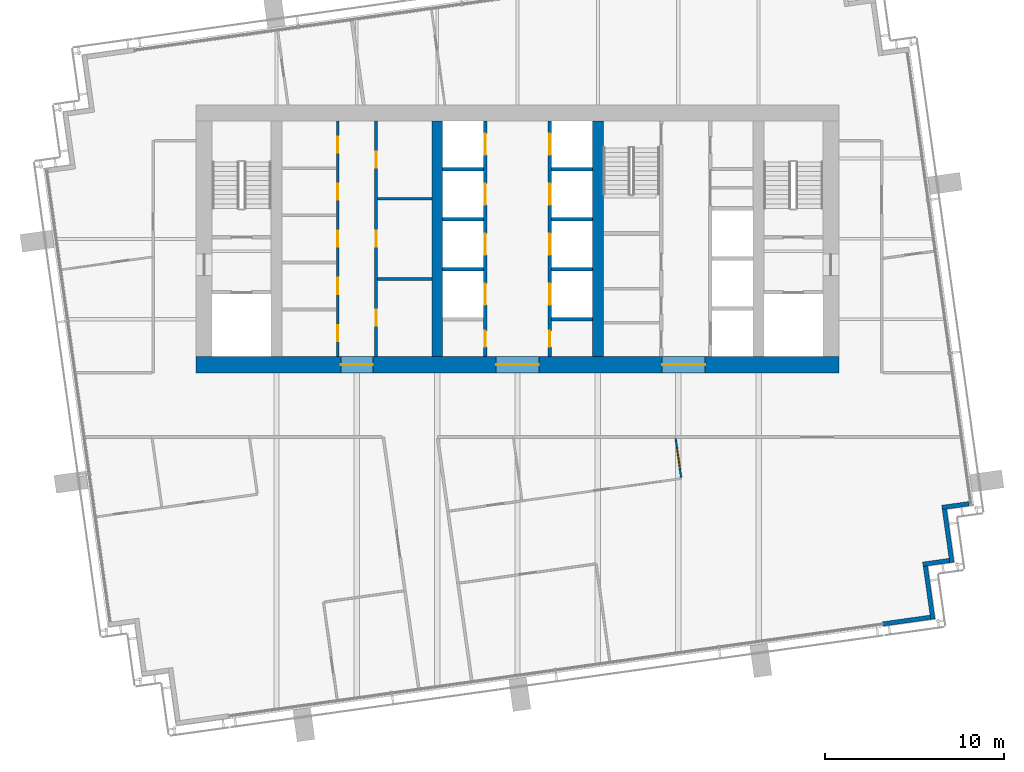
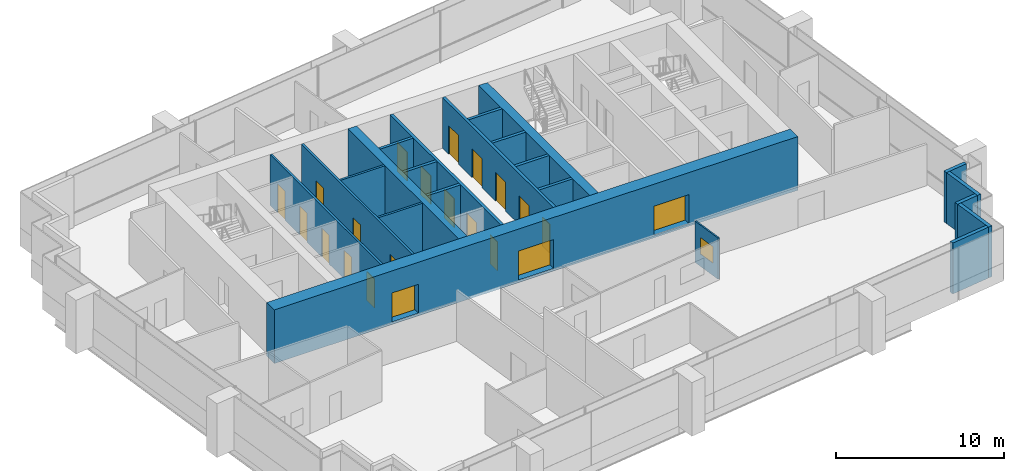
# One storey, part 9 of 15: 22 walls, 21 doors, 1 window, 22 openings.
"""IFC4 building model written with IfcOpenShell, lengths in metres."""

from ifc_helpers import new_model, si_unit, direction, frame, frame_2d, origin, place, context, subcontext, project, spatial, rectangle, extrude, material, layer, layer_set, type_object, element, fill, save


model = new_model("IFC4")

# Units and contexts
model_context = context("Model", 3, precision=1e-05, world=origin(), true_north=direction((0.0, 1.0)))
body_context = subcontext(model_context, "Body", "Model", "MODEL_VIEW")
ifc_project = project(units=[si_unit("LENGTHUNIT", "METRE"), si_unit("AREAUNIT", "SQUARE_METRE"), si_unit("VOLUMEUNIT", "CUBIC_METRE"), si_unit("PLANEANGLEUNIT", "RADIAN"), si_unit("MASSUNIT", "GRAM", prefix="KILO")], contexts=[model_context])

# Site, building, storey
site_placement = place(None, origin())
site = spatial("IfcSite", under=ifc_project, at=site_placement, CompositionType="ELEMENT")
building_placement = place(site_placement, origin())
building = spatial("IfcBuilding", under=site, at=building_placement, Name="Rattan Terrace Tower", CompositionType="ELEMENT")
storey_placement = place(building_placement, frame((0.0, 0.0, 262.89990234375)))
storey = spatial("IfcBuildingStorey", under=building, at=storey_placement, Name="L60", CompositionType="ELEMENT", Elevation=262.89990234375)

# Wall, openings, doors
ifc_material_1 = material(Name="Gypsum board partition")
ifc_layer_1 = layer(ifc_material_1, 0.14990234375)
ifc_layer_set_1 = layer_set([ifc_layer_1], Name="Core partition 150")
wall_type_1 = type_object("IfcWallType", Name="Core partition 150", PredefinedType="PARTITIONING", material=ifc_layer_set_1)
wall_1_placement = place(storey_placement, frame((-10.074951171875, -6.60009765625, 0.0), z_axis=(0.0, 0.0, 1.0), x_axis=(0.0, 1.0, 0.0)))
wall_1 = element("IfcWall", 1, at=wall_1_placement, inside=storey, type_object=wall_type_1, Name="Core room wall", PredefinedType="PARTITIONING", context=body_context, shape_type="SweptSolid", body=[
    extrude(rectangle(XDim=13.2001953125, YDim=0.14990234375, at=frame_2d((6.60009765625, 0.0))), origin(), (0.0, 0.0, 1.0), 3.7001953125),
])
opening_1_placement = place(wall_1_placement, frame((0.8701171875, 0.0, 0.0)))
opening_1 = element("IfcOpeningElement", 2, at=opening_1_placement, cuts=wall_1, Name="Opening L60-D005", PredefinedType="OPENING", context=body_context, shape_type="SweptSolid", body=[
    extrude(rectangle(XDim=0.89990234375, YDim=2.10009765625, at=frame_2d((0.449951171875, 1.050048828125))), frame((0.0, 0.08544921875, 0.0), z_axis=(0.0, -1.0, 0.0), x_axis=(1.0, 0.0, 0.0)), (0.0, 0.0, 1.0), 0.1708984375),
])
opening_2_placement = place(wall_1_placement, frame((3.510009765625, 0.0, 0.0)))
opening_2 = element("IfcOpeningElement", 3, at=opening_2_placement, cuts=wall_1, Name="Opening L60-D006", PredefinedType="OPENING", context=body_context, shape_type="SweptSolid", body=[
    extrude(rectangle(XDim=0.89990234375, YDim=2.10009765625, at=frame_2d((0.449951171875, 1.050048828125))), frame((0.0, 0.08544921875, 0.0), z_axis=(0.0, -1.0, 0.0), x_axis=(1.0, 0.0, 0.0)), (0.0, 0.0, 1.0), 0.1708984375),
])
opening_3_placement = place(wall_1_placement, frame((6.14990234375, 0.0, 0.0)))
opening_3 = element("IfcOpeningElement", 4, at=opening_3_placement, cuts=wall_1, Name="Opening L60-D007", PredefinedType="OPENING", context=body_context, shape_type="SweptSolid", body=[
    extrude(rectangle(XDim=0.89990234375, YDim=2.10009765625, at=frame_2d((0.449951171875, 1.050048828125))), frame((0.0, 0.08544921875, 0.0), z_axis=(0.0, -1.0, 0.0), x_axis=(1.0, 0.0, 0.0)), (0.0, 0.0, 1.0), 0.1708984375),
])
opening_4_placement = place(wall_1_placement, frame((8.7900390625, 0.0, 0.0)))
opening_4 = element("IfcOpeningElement", 5, at=opening_4_placement, cuts=wall_1, Name="Opening L60-D008", PredefinedType="OPENING", context=body_context, shape_type="SweptSolid", body=[
    extrude(rectangle(XDim=0.89990234375, YDim=2.10009765625, at=frame_2d((0.449951171875, 1.050048828125))), frame((0.0, 0.08544921875, 0.0), z_axis=(0.0, -1.0, 0.0), x_axis=(1.0, 0.0, 0.0)), (0.0, 0.0, 1.0), 0.1708984375),
])
opening_5_placement = place(wall_1_placement, frame((11.429931640625, 0.0, 0.0)))
opening_5 = element("IfcOpeningElement", 6, at=opening_5_placement, cuts=wall_1, Name="Opening L60-D009", PredefinedType="OPENING", context=body_context, shape_type="SweptSolid", body=[
    extrude(rectangle(XDim=0.89990234375, YDim=2.10009765625, at=frame_2d((0.449951171875, 1.050048828125))), frame((0.0, 0.08544921875, 0.0), z_axis=(0.0, -1.0, 0.0), x_axis=(1.0, 0.0, 0.0)), (0.0, 0.0, 1.0), 0.1708984375),
])
ifc_material_2 = material(Name="Hollow-metal fire door leaf")
door_type_1 = type_object("IfcDoorType", Name="Core service room door 900", OperationType="NOTDEFINED", PredefinedType="DOOR", material=ifc_material_2)
door_1_placement = place(opening_1_placement, origin())
door_1 = element("IfcDoor", 7, at=door_1_placement, inside=storey, type_object=door_type_1, Name="Door L60-D005", OperationType="SINGLE_SWING_LEFT", OverallHeight=2.10009765625, OverallWidth=0.89990234375, PredefinedType="DOOR", context=body_context, shape_type="SweptSolid", body=[
    extrude(rectangle(XDim=0.89990234375, YDim=2.10009765625, at=frame_2d((0.449951171875, 1.050048828125))), frame((0.0, 0.02490234375, 0.0), z_axis=(0.0, -1.0, 0.0), x_axis=(1.0, 0.0, 0.0)), (0.0, 0.0, 1.0), 0.050048828125),
])
fill(opening_1, door_1)
door_2_placement = place(opening_2_placement, origin())
door_2 = element("IfcDoor", 8, at=door_2_placement, inside=storey, type_object=door_type_1, Name="Door L60-D006", OperationType="SINGLE_SWING_RIGHT", OverallHeight=2.10009765625, OverallWidth=0.89990234375, PredefinedType="DOOR", context=body_context, shape_type="SweptSolid", body=[
    extrude(rectangle(XDim=0.89990234375, YDim=2.10009765625, at=frame_2d((0.449951171875, 1.050048828125))), frame((0.0, 0.02490234375, 0.0), z_axis=(0.0, -1.0, 0.0), x_axis=(1.0, 0.0, 0.0)), (0.0, 0.0, 1.0), 0.050048828125),
])
fill(opening_2, door_2)
door_3_placement = place(opening_3_placement, origin())
door_3 = element("IfcDoor", 9, at=door_3_placement, inside=storey, type_object=door_type_1, Name="Door L60-D007", OperationType="SINGLE_SWING_LEFT", OverallHeight=2.10009765625, OverallWidth=0.89990234375, PredefinedType="DOOR", context=body_context, shape_type="SweptSolid", body=[
    extrude(rectangle(XDim=0.89990234375, YDim=2.10009765625, at=frame_2d((0.449951171875, 1.050048828125))), frame((0.0, 0.02490234375, 0.0), z_axis=(0.0, -1.0, 0.0), x_axis=(1.0, 0.0, 0.0)), (0.0, 0.0, 1.0), 0.050048828125),
])
fill(opening_3, door_3)
door_4_placement = place(opening_4_placement, origin())
door_4 = element("IfcDoor", 10, at=door_4_placement, inside=storey, type_object=door_type_1, Name="Door L60-D008", OperationType="SINGLE_SWING_RIGHT", OverallHeight=2.10009765625, OverallWidth=0.89990234375, PredefinedType="DOOR", context=body_context, shape_type="SweptSolid", body=[
    extrude(rectangle(XDim=0.89990234375, YDim=2.10009765625, at=frame_2d((0.449951171875, 1.050048828125))), frame((0.0, 0.02490234375, 0.0), z_axis=(0.0, -1.0, 0.0), x_axis=(1.0, 0.0, 0.0)), (0.0, 0.0, 1.0), 0.050048828125),
])
fill(opening_4, door_4)
door_5_placement = place(opening_5_placement, origin())
door_5 = element("IfcDoor", 11, at=door_5_placement, inside=storey, type_object=door_type_1, Name="Door L60-D009", OperationType="SINGLE_SWING_LEFT", OverallHeight=2.10009765625, OverallWidth=0.89990234375, PredefinedType="DOOR", context=body_context, shape_type="SweptSolid", body=[
    extrude(rectangle(XDim=0.89990234375, YDim=2.10009765625, at=frame_2d((0.449951171875, 1.050048828125))), frame((0.0, 0.02490234375, 0.0), z_axis=(0.0, -1.0, 0.0), x_axis=(1.0, 0.0, 0.0)), (0.0, 0.0, 1.0), 0.050048828125),
])
fill(opening_5, door_5)

wall_2_placement = place(storey_placement, frame((-7.925048828125, -6.60009765625, 0.0), z_axis=(0.0, 0.0, 1.0), x_axis=(0.0, 1.0, 0.0)))
wall_2 = element("IfcWall", 12, at=wall_2_placement, inside=storey, type_object=wall_type_1, Name="Core room wall", PredefinedType="PARTITIONING", context=body_context, shape_type="SweptSolid", body=[
    extrude(rectangle(XDim=13.2001953125, YDim=0.14990234375, at=frame_2d((6.60009765625, 0.0))), origin(), (0.0, 0.0, 1.0), 3.7001953125),
])
opening_6_placement = place(wall_2_placement, frame((1.72802734375, 0.0, 0.0)))
opening_6 = element("IfcOpeningElement", 13, at=opening_6_placement, cuts=wall_2, Name="Opening L60-D010", PredefinedType="OPENING", context=body_context, shape_type="SweptSolid", body=[
    extrude(rectangle(XDim=0.89990234375, YDim=2.10009765625, at=frame_2d((0.449951171875, 1.050048828125))), frame((0.0, 0.08544921875, 0.0), z_axis=(0.0, -1.0, 0.0), x_axis=(1.0, 0.0, 0.0)), (0.0, 0.0, 1.0), 0.1708984375),
])
opening_7_placement = place(wall_2_placement, frame((6.14990234375, 0.0, 0.0)))
opening_7 = element("IfcOpeningElement", 14, at=opening_7_placement, cuts=wall_2, Name="Opening L60-D011", PredefinedType="OPENING", context=body_context, shape_type="SweptSolid", body=[
    extrude(rectangle(XDim=0.89990234375, YDim=2.10009765625, at=frame_2d((0.449951171875, 1.050048828125))), frame((0.0, 0.08544921875, 0.0), z_axis=(0.0, -1.0, 0.0), x_axis=(1.0, 0.0, 0.0)), (0.0, 0.0, 1.0), 0.1708984375),
])
opening_8_placement = place(wall_2_placement, frame((10.572021484375, 0.0, 0.0)))
opening_8 = element("IfcOpeningElement", 15, at=opening_8_placement, cuts=wall_2, Name="Opening L60-D012", PredefinedType="OPENING", context=body_context, shape_type="SweptSolid", body=[
    extrude(rectangle(XDim=0.89990234375, YDim=2.10009765625, at=frame_2d((0.449951171875, 1.050048828125))), frame((0.0, 0.08544921875, 0.0), z_axis=(0.0, -1.0, 0.0), x_axis=(1.0, 0.0, 0.0)), (0.0, 0.0, 1.0), 0.1708984375),
])
door_6_placement = place(opening_6_placement, origin())
door_6 = element("IfcDoor", 16, at=door_6_placement, inside=storey, type_object=door_type_1, Name="Door L60-D010", OperationType="SINGLE_SWING_RIGHT", OverallHeight=2.10009765625, OverallWidth=0.89990234375, PredefinedType="DOOR", context=body_context, shape_type="SweptSolid", body=[
    extrude(rectangle(XDim=0.89990234375, YDim=2.10009765625, at=frame_2d((0.449951171875, 1.050048828125))), frame((0.0, 0.02490234375, 0.0), z_axis=(0.0, -1.0, 0.0), x_axis=(1.0, 0.0, 0.0)), (0.0, 0.0, 1.0), 0.050048828125),
])
fill(opening_6, door_6)
door_7_placement = place(opening_7_placement, origin())
door_7 = element("IfcDoor", 17, at=door_7_placement, inside=storey, type_object=door_type_1, Name="Door L60-D011", OperationType="SINGLE_SWING_LEFT", OverallHeight=2.10009765625, OverallWidth=0.89990234375, PredefinedType="DOOR", context=body_context, shape_type="SweptSolid", body=[
    extrude(rectangle(XDim=0.89990234375, YDim=2.10009765625, at=frame_2d((0.449951171875, 1.050048828125))), frame((0.0, 0.02490234375, 0.0), z_axis=(0.0, -1.0, 0.0), x_axis=(1.0, 0.0, 0.0)), (0.0, 0.0, 1.0), 0.050048828125),
])
fill(opening_7, door_7)
door_8_placement = place(opening_8_placement, origin())
door_8 = element("IfcDoor", 18, at=door_8_placement, inside=storey, type_object=door_type_1, Name="Door L60-D012", OperationType="SINGLE_SWING_RIGHT", OverallHeight=2.10009765625, OverallWidth=0.89990234375, PredefinedType="DOOR", context=body_context, shape_type="SweptSolid", body=[
    extrude(rectangle(XDim=0.89990234375, YDim=2.10009765625, at=frame_2d((0.449951171875, 1.050048828125))), frame((0.0, 0.02490234375, 0.0), z_axis=(0.0, -1.0, 0.0), x_axis=(1.0, 0.0, 0.0)), (0.0, 0.0, 1.0), 0.050048828125),
])
fill(opening_8, door_8)

# Walls
for number, where, z_axis, x_axis, name in (
    (19, (-7.85009765625, -2.243896484375, 0.0), (0.0, 0.0, 1.0), (1.0, 0.0, 0.0), "Core room wall"),
    (20, (-7.85009765625, 2.243896484375, 0.0), (0.0, 0.0, 1.0), (1.0, 0.0, 0.0), "Core room wall"),
):
    element("IfcWall", number, at=place(storey_placement, frame(where, z_axis=z_axis, x_axis=x_axis)), inside=storey, type_object=wall_type_1, Name=name, PredefinedType="PARTITIONING", context=body_context, shape_type="SweptSolid", body=[
        extrude(rectangle(XDim=3.050048828125, YDim=0.14990234375, at=frame_2d((1.52490234375, 0.0))), origin(), (0.0, 0.0, 1.0), 3.7001953125),
    ])

# Wall, openings, doors
ifc_material_3 = material(Name="Concrete C50/60", Category="concrete")
ifc_layer_2 = layer(ifc_material_3, 0.89990234375)
ifc_layer_set_2 = layer_set([ifc_layer_2], Name="Core ring wall 900 C50/60")
wall_type_2 = type_object("IfcWallType", Name="Core ring wall 900 C50/60", PredefinedType="SHEAR", material=ifc_layer_set_2)
wall_3_placement = place(storey_placement, frame((-18.0, -7.050048828125, -0.199951171875), z_axis=(0.0, 0.0, 1.0), x_axis=(1.0, 0.0, 0.0)))
wall_3 = element("IfcWall", 21, at=wall_3_placement, inside=storey, type_object=wall_type_2, Name="Rear core wall south", PredefinedType="SHEAR", context=body_context, shape_type="SweptSolid", body=[
    extrude(rectangle(XDim=36.0, YDim=0.89990234375, at=frame_2d((18.0, 0.0))), origin(), (0.0, 0.0, 1.0), 3.900146484375),
])
opening_9_placement = place(wall_3_placement, frame((8.10009765625, 0.0, 0.199951171875)))
opening_9 = element("IfcOpeningElement", 22, at=opening_9_placement, cuts=wall_3, Name="Opening L60-D013", PredefinedType="OPENING", context=body_context, shape_type="SweptSolid", body=[
    extrude(rectangle(XDim=1.800048828125, YDim=2.10009765625, at=frame_2d((0.89990234375, 1.050048828125))), frame((0.0, 0.46044921875, 0.0), z_axis=(0.0, -1.0, 0.0), x_axis=(1.0, 0.0, 0.0)), (0.0, 0.0, 1.0), 0.9208984375),
])
opening_10_placement = place(wall_3_placement, frame((16.800048828125, 0.0, 0.199951171875)))
opening_10 = element("IfcOpeningElement", 23, at=opening_10_placement, cuts=wall_3, Name="Opening L60-D016", PredefinedType="OPENING", context=body_context, shape_type="SweptSolid", body=[
    extrude(rectangle(XDim=2.39990234375, YDim=2.10009765625, at=frame_2d((1.199951171875, 1.050048828125))), frame((0.0, 0.46044921875, 0.0), z_axis=(0.0, -1.0, 0.0), x_axis=(1.0, 0.0, 0.0)), (0.0, 0.0, 1.0), 0.9208984375),
])
opening_11_placement = place(wall_3_placement, frame((26.10009765625, 0.0, 0.199951171875)))
opening_11 = element("IfcOpeningElement", 24, at=opening_11_placement, cuts=wall_3, Name="Opening L60-D021", PredefinedType="OPENING", context=body_context, shape_type="SweptSolid", body=[
    extrude(rectangle(XDim=2.39990234375, YDim=2.10009765625, at=frame_2d((1.199951171875, 1.050048828125))), frame((0.0, 0.46044921875, 0.0), z_axis=(0.0, -1.0, 0.0), x_axis=(1.0, 0.0, 0.0)), (0.0, 0.0, 1.0), 0.9208984375),
])
ifc_material_4 = material(Name="Hollow-metal fire door leaf")
door_type_2 = type_object("IfcDoorType", Name="Core lift lobby door 2400", OperationType="NOTDEFINED", PredefinedType="DOOR", material=ifc_material_4)
door_9_placement = place(opening_10_placement, origin())
door_9 = element("IfcDoor", 25, at=door_9_placement, inside=storey, type_object=door_type_2, Name="Door L60-D016", OperationType="DOUBLE_DOOR_DOUBLE_SWING", OverallHeight=2.10009765625, OverallWidth=2.39990234375, PredefinedType="DOOR", context=body_context, shape_type="SweptSolid", body=[
    extrude(rectangle(XDim=2.39990234375, YDim=2.10009765625, at=frame_2d((1.199951171875, 1.050048828125))), frame((0.0, 0.02490234375, 0.0), z_axis=(0.0, -1.0, 0.0), x_axis=(1.0, 0.0, 0.0)), (0.0, 0.0, 1.0), 0.050048828125),
])
fill(opening_10, door_9)
door_10_placement = place(opening_11_placement, origin())
door_10 = element("IfcDoor", 26, at=door_10_placement, inside=storey, type_object=door_type_2, Name="Door L60-D021", OperationType="DOUBLE_DOOR_DOUBLE_SWING", OverallHeight=2.10009765625, OverallWidth=2.39990234375, PredefinedType="DOOR", context=body_context, shape_type="SweptSolid", body=[
    extrude(rectangle(XDim=2.39990234375, YDim=2.10009765625, at=frame_2d((1.199951171875, 1.050048828125))), frame((0.0, 0.02490234375, 0.0), z_axis=(0.0, -1.0, 0.0), x_axis=(1.0, 0.0, 0.0)), (0.0, 0.0, 1.0), 0.050048828125),
])
fill(opening_11, door_10)
ifc_material_5 = material(Name="Hollow-metal fire door leaf")
door_type_3 = type_object("IfcDoorType", Name="Core service room door 1800", OperationType="NOTDEFINED", PredefinedType="DOOR", material=ifc_material_5)
door_11_placement = place(opening_9_placement, origin())
door_11 = element("IfcDoor", 27, at=door_11_placement, inside=storey, type_object=door_type_3, Name="Door L60-D013", OperationType="SINGLE_SWING_LEFT", OverallHeight=2.10009765625, OverallWidth=1.800048828125, PredefinedType="DOOR", context=body_context, shape_type="SweptSolid", body=[
    extrude(rectangle(XDim=1.800048828125, YDim=2.10009765625, at=frame_2d((0.89990234375, 1.050048828125))), frame((0.0, 0.02490234375, 0.0), z_axis=(0.0, -1.0, 0.0), x_axis=(1.0, 0.0, 0.0)), (0.0, 0.0, 1.0), 0.050048828125),
])
fill(opening_9, door_11)

# Walls
ifc_material_6 = material(Name="Concrete C50/60", Category="concrete")
ifc_layer_3 = layer(ifc_material_6, 0.60009765625)
ifc_layer_set_3 = layer_set([ifc_layer_3], Name="Core spine wall 600 C50/60")
wall_type_3 = type_object("IfcWallType", Name="Core spine wall 600 C50/60", PredefinedType="SHEAR", material=ifc_layer_set_3)
for number, where, z_axis, x_axis, name in (
    (28, (-4.5, -6.60009765625, -0.199951171875), (0.0, 0.0, 1.0), (0.0, 1.0, 0.0), "Core spine wall 2"),
    (29, (4.5, -6.60009765625, -0.199951171875), (0.0, 0.0, 1.0), (0.0, 1.0, 0.0), "Core spine wall 3"),
):
    element("IfcWall", number, at=place(storey_placement, frame(where, z_axis=z_axis, x_axis=x_axis)), inside=storey, type_object=wall_type_3, Name=name, PredefinedType="SHEAR", context=body_context, shape_type="SweptSolid", body=[
        extrude(rectangle(XDim=13.2001953125, YDim=0.60009765625, at=frame_2d((6.60009765625, 0.0))), origin(), (0.0, 0.0, 1.0), 3.900146484375),
    ])
ifc_material_7 = material(Name="Insulated aluminium-clad stud wall", Category="aluminium")
ifc_layer_4 = layer(ifc_material_7, 0.25)
ifc_layer_set_4 = layer_set([ifc_layer_4], Name="Facade Riser Wall 250")
wall_type_4 = type_object("IfcWallType", Name="Facade Riser Wall 250", PredefinedType="SOLIDWALL", material=ifc_layer_set_4)
wall_4_placement = place(storey_placement, frame((20.4404296875, -21.571533203125, 0.0), z_axis=(0.0, 0.0, 1.0), x_axis=(0.990293105353, 0.138994839796, 0.0)))
element("IfcWall", 30, at=wall_4_placement, inside=storey, type_object=wall_type_4, Name="Riser wall L60-1", PredefinedType="SOLIDWALL", context=body_context, shape_type="SweptSolid", body=[
    extrude(rectangle(XDim=2.705078125, YDim=0.25, at=frame_2d((1.3525390625, 0.0))), origin(), (0.0, 0.0, 1.0), 3.7001953125),
])
wall_5_placement = place(storey_placement, frame((23.260498046875, -21.302001953125, 0.0), z_axis=(0.0, 0.0, 1.0), x_axis=(-0.138994228812, 0.990293191109, 0.0)))
element("IfcWall", 31, at=wall_5_placement, inside=storey, type_object=wall_type_4, Name="Riser wall L60-2", PredefinedType="SOLIDWALL", context=body_context, shape_type="SweptSolid", body=[
    extrude(rectangle(XDim=3.0, YDim=0.25, at=frame_2d((1.5, 0.0))), origin(), (0.0, 0.0, 1.0), 3.7001953125),
])
wall_6_placement = place(storey_placement, frame((22.7021484375, -18.224853515625, 0.0), z_axis=(0.0, 0.0, 1.0), x_axis=(0.990243596651, 0.13934711799, 0.0)))
element("IfcWall", 32, at=wall_6_placement, inside=storey, type_object=wall_type_4, Name="Riser wall L60-3", PredefinedType="SOLIDWALL", context=body_context, shape_type="SweptSolid", body=[
    extrude(rectangle(XDim=1.499755859375, YDim=0.25, at=frame_2d((0.75, 0.0))), origin(), (0.0, 0.0, 1.0), 3.7001953125),
])
wall_7_placement = place(storey_placement, frame((24.328369140625, -18.1220703125, 0.0), z_axis=(0.0, 0.0, 1.0), x_axis=(-0.139358350296, 0.990242015975, 0.0)))
element("IfcWall", 33, at=wall_7_placement, inside=storey, type_object=wall_type_4, Name="Riser wall L60-4", PredefinedType="SOLIDWALL", context=body_context, shape_type="SweptSolid", body=[
    extrude(rectangle(XDim=2.999267578125, YDim=0.25, at=frame_2d((1.49951171875, 0.0))), origin(), (0.0, 0.0, 1.0), 3.7001953125),
])
wall_8_placement = place(storey_placement, frame((23.769287109375, -15.045654296875, 0.0), z_axis=(0.0, 0.0, 1.0), x_axis=(0.990260716096, 0.139225407725, 0.0)))
element("IfcWall", 34, at=wall_8_placement, inside=storey, type_object=wall_type_4, Name="Riser wall L60-5", PredefinedType="SOLIDWALL", context=body_context, shape_type="SweptSolid", body=[
    extrude(rectangle(XDim=1.525634765625, YDim=0.25, at=frame_2d((0.7626953125, 0.0))), origin(), (0.0, 0.0, 1.0), 3.7001953125),
])

# Wall, opening, window
ifc_material_8 = material(Name="Gypsum board partition on steel studs", Category="steel")
ifc_layer_5 = layer(ifc_material_8, 0.10009765625)
ifc_layer_set_5 = layer_set([ifc_layer_5], Name="Floors Partition 100")
wall_type_5 = type_object("IfcWallType", Name="Floors Partition 100", PredefinedType="PARTITIONING", material=ifc_layer_set_5)
wall_9_placement = place(storey_placement, frame((9.1640625, -13.3720703125, 0.0), z_axis=(0.0, 0.0, 1.0), x_axis=(-0.139301888521, 0.99024996029, 0.0)))
wall_9 = element("IfcWall", 35, at=wall_9_placement, inside=storey, type_object=wall_type_5, Name="pt-L60-030", PredefinedType="PARTITIONING", context=body_context, shape_type="SweptSolid", body=[
    extrude(rectangle(XDim=2.225830078125, YDim=0.10009765625, at=frame_2d((1.11279296875, 0.0))), origin(), (0.0, 0.0, 1.0), 3.0),
])
opening_12_placement = place(wall_9_placement, frame((0.5048828125, 0.0, 0.89990234375)))
opening_12 = element("IfcOpeningElement", 36, at=opening_12_placement, cuts=wall_9, Name="Opening L60-W102", PredefinedType="OPENING", context=body_context, shape_type="SweptSolid", body=[
    extrude(rectangle(XDim=1.199951171875, YDim=1.199951171875, at=frame_2d((0.60009765625, 0.60009765625))), frame((0.0, 0.060546875, 0.0), z_axis=(0.0, -1.0, 0.0), x_axis=(1.0, 0.0, 0.0)), (0.0, 0.0, 1.0), 0.12109375),
])
ifc_material_9 = material(Name="Glass, clear, fixed in aluminium frame", Category="aluminium")
window_type = type_object("IfcWindowType", Name="Interior Vision Window 1200x1200", PartitioningType="SINGLE_PANEL", PredefinedType="WINDOW", material=ifc_material_9)
window_placement = place(opening_12_placement, origin())
window = element("IfcWindow", 37, at=window_placement, inside=storey, type_object=window_type, Name="w-L60-102", OverallHeight=1.199951171875, OverallWidth=1.199951171875, PartitioningType="SINGLE_PANEL", PredefinedType="WINDOW", context=body_context, shape_type="SweptSolid", body=[
    extrude(rectangle(XDim=1.199951171875, YDim=1.199951171875, at=frame_2d((0.60009765625, 0.60009765625))), frame((0.0, 0.030029296875, 0.0), z_axis=(0.0, -1.0, 0.0), x_axis=(1.0, 0.0, 0.0)), (0.0, 0.0, 1.0), 0.06005859375),
])
fill(opening_12, window)

# Wall, openings, doors
ifc_material_10 = material(Name="Gypsum shaft wall system")
ifc_layer_6 = layer(ifc_material_10, 0.199951171875)
ifc_layer_set_6 = layer_set([ifc_layer_6], Name="Lift shaft wall 200")
wall_type_6 = type_object("IfcWallType", Name="Lift shaft wall 200", PredefinedType="PARTITIONING", material=ifc_layer_set_6)
wall_10_placement = place(storey_placement, frame((-1.800048828125, -6.60009765625, 0.0), z_axis=(0.0, 0.0, 1.0), x_axis=(0.0, 1.0, 0.0)))
wall_10 = element("IfcWall", 38, at=wall_10_placement, inside=storey, type_object=wall_type_6, Name="Lift shaft front wall", PredefinedType="PARTITIONING", context=body_context, shape_type="SweptSolid", body=[
    extrude(rectangle(XDim=13.2001953125, YDim=0.199951171875, at=frame_2d((6.60009765625, 0.0))), origin(), (0.0, 0.0, 1.0), 3.7001953125),
])
opening_13_placement = place(wall_10_placement, frame((0.550048828125, 0.0, 0.0)))
opening_13 = element("IfcOpeningElement", 39, at=opening_13_placement, cuts=wall_10, Name="Opening L60-D014", PredefinedType="OPENING", context=body_context, shape_type="SweptSolid", body=[
    extrude(rectangle(XDim=0.89990234375, YDim=2.10009765625, at=frame_2d((0.449951171875, 1.050048828125))), frame((0.0, 0.110595703125, 0.0), z_axis=(0.0, -1.0, 0.0), x_axis=(1.0, 0.0, 0.0)), (0.0, 0.0, 1.0), 0.220947265625),
])
opening_14_placement = place(wall_10_placement, frame((2.89990234375, 0.0, 0.0)))
opening_14 = element("IfcOpeningElement", 40, at=opening_14_placement, cuts=wall_10, Name="Opening L60-LD-HR1", PredefinedType="OPENING", context=body_context, shape_type="SweptSolid", body=[
    extrude(rectangle(XDim=1.199951171875, YDim=2.10009765625, at=frame_2d((0.60009765625, 1.050048828125))), frame((0.0, 0.110595703125, 0.0), z_axis=(0.0, -1.0, 0.0), x_axis=(1.0, 0.0, 0.0)), (0.0, 0.0, 1.0), 0.220947265625),
])
opening_15_placement = place(wall_10_placement, frame((5.699951171875, 0.0, 0.0)))
opening_15 = element("IfcOpeningElement", 41, at=opening_15_placement, cuts=wall_10, Name="Opening L60-LD-HR2", PredefinedType="OPENING", context=body_context, shape_type="SweptSolid", body=[
    extrude(rectangle(XDim=1.199951171875, YDim=2.10009765625, at=frame_2d((0.60009765625, 1.050048828125))), frame((0.0, 0.110595703125, 0.0), z_axis=(0.0, -1.0, 0.0), x_axis=(1.0, 0.0, 0.0)), (0.0, 0.0, 1.0), 0.220947265625),
])
opening_16_placement = place(wall_10_placement, frame((8.5, 0.0, 0.0)))
opening_16 = element("IfcOpeningElement", 42, at=opening_16_placement, cuts=wall_10, Name="Opening L60-LD-HR3", PredefinedType="OPENING", context=body_context, shape_type="SweptSolid", body=[
    extrude(rectangle(XDim=1.199951171875, YDim=2.10009765625, at=frame_2d((0.60009765625, 1.050048828125))), frame((0.0, 0.110595703125, 0.0), z_axis=(0.0, -1.0, 0.0), x_axis=(1.0, 0.0, 0.0)), (0.0, 0.0, 1.0), 0.220947265625),
])
opening_17_placement = place(wall_10_placement, frame((11.300048828125, 0.0, 0.0)))
opening_17 = element("IfcOpeningElement", 43, at=opening_17_placement, cuts=wall_10, Name="Opening L60-LD-HR4", PredefinedType="OPENING", context=body_context, shape_type="SweptSolid", body=[
    extrude(rectangle(XDim=1.199951171875, YDim=2.10009765625, at=frame_2d((0.60009765625, 1.050048828125))), frame((0.0, 0.110595703125, 0.0), z_axis=(0.0, -1.0, 0.0), x_axis=(1.0, 0.0, 0.0)), (0.0, 0.0, 1.0), 0.220947265625),
])
ifc_material_11 = material(Name="Brushed stainless landing door panel")
door_type_4 = type_object("IfcDoorType", Name="Core lift landing door 1200", OperationType="DOUBLE_DOOR_SLIDING", PredefinedType="DOOR", material=ifc_material_11)
door_12_placement = place(opening_14_placement, origin())
door_12 = element("IfcDoor", 44, at=door_12_placement, inside=storey, type_object=door_type_4, Name="Door L60-LD-HR1", OperationType="DOUBLE_DOOR_SLIDING", OverallHeight=2.10009765625, OverallWidth=1.199951171875, PredefinedType="DOOR", context=body_context, shape_type="SweptSolid", body=[
    extrude(rectangle(XDim=1.199951171875, YDim=2.10009765625, at=frame_2d((0.60009765625, 1.050048828125))), frame((0.0, 0.02490234375, 0.0), z_axis=(0.0, -1.0, 0.0), x_axis=(1.0, 0.0, 0.0)), (0.0, 0.0, 1.0), 0.050048828125),
])
fill(opening_14, door_12)
door_13_placement = place(opening_15_placement, origin())
door_13 = element("IfcDoor", 45, at=door_13_placement, inside=storey, type_object=door_type_4, Name="Door L60-LD-HR2", OperationType="DOUBLE_DOOR_SLIDING", OverallHeight=2.10009765625, OverallWidth=1.199951171875, PredefinedType="DOOR", context=body_context, shape_type="SweptSolid", body=[
    extrude(rectangle(XDim=1.199951171875, YDim=2.10009765625, at=frame_2d((0.60009765625, 1.050048828125))), frame((0.0, 0.02490234375, 0.0), z_axis=(0.0, -1.0, 0.0), x_axis=(1.0, 0.0, 0.0)), (0.0, 0.0, 1.0), 0.050048828125),
])
fill(opening_15, door_13)
door_14_placement = place(opening_16_placement, origin())
door_14 = element("IfcDoor", 46, at=door_14_placement, inside=storey, type_object=door_type_4, Name="Door L60-LD-HR3", OperationType="DOUBLE_DOOR_SLIDING", OverallHeight=2.10009765625, OverallWidth=1.199951171875, PredefinedType="DOOR", context=body_context, shape_type="SweptSolid", body=[
    extrude(rectangle(XDim=1.199951171875, YDim=2.10009765625, at=frame_2d((0.60009765625, 1.050048828125))), frame((0.0, 0.02490234375, 0.0), z_axis=(0.0, -1.0, 0.0), x_axis=(1.0, 0.0, 0.0)), (0.0, 0.0, 1.0), 0.050048828125),
])
fill(opening_16, door_14)
door_15_placement = place(opening_17_placement, origin())
door_15 = element("IfcDoor", 47, at=door_15_placement, inside=storey, type_object=door_type_4, Name="Door L60-LD-HR4", OperationType="DOUBLE_DOOR_SLIDING", OverallHeight=2.10009765625, OverallWidth=1.199951171875, PredefinedType="DOOR", context=body_context, shape_type="SweptSolid", body=[
    extrude(rectangle(XDim=1.199951171875, YDim=2.10009765625, at=frame_2d((0.60009765625, 1.050048828125))), frame((0.0, 0.02490234375, 0.0), z_axis=(0.0, -1.0, 0.0), x_axis=(1.0, 0.0, 0.0)), (0.0, 0.0, 1.0), 0.050048828125),
])
fill(opening_17, door_15)
ifc_material_12 = material(Name="Hollow-metal fire door leaf")
door_type_5 = type_object("IfcDoorType", Name="Core riser door 900", OperationType="NOTDEFINED", PredefinedType="DOOR", material=ifc_material_12)
door_16_placement = place(opening_13_placement, origin())
door_16 = element("IfcDoor", 48, at=door_16_placement, inside=storey, type_object=door_type_5, Name="Door L60-D014", OperationType="SINGLE_SWING_RIGHT", OverallHeight=2.10009765625, OverallWidth=0.89990234375, PredefinedType="DOOR", context=body_context, shape_type="SweptSolid", body=[
    extrude(rectangle(XDim=0.89990234375, YDim=2.10009765625, at=frame_2d((0.449951171875, 1.050048828125))), frame((0.0, 0.02490234375, 0.0), z_axis=(0.0, -1.0, 0.0), x_axis=(1.0, 0.0, 0.0)), (0.0, 0.0, 1.0), 0.050048828125),
])
fill(opening_13, door_16)

wall_11_placement = place(storey_placement, frame((1.800048828125, -6.60009765625, 0.0), z_axis=(0.0, 0.0, 1.0), x_axis=(0.0, 1.0, 0.0)))
wall_11 = element("IfcWall", 49, at=wall_11_placement, inside=storey, type_object=wall_type_6, Name="Lift shaft front wall", PredefinedType="PARTITIONING", context=body_context, shape_type="SweptSolid", body=[
    extrude(rectangle(XDim=13.2001953125, YDim=0.199951171875, at=frame_2d((6.60009765625, 0.0))), origin(), (0.0, 0.0, 1.0), 3.7001953125),
])
opening_18_placement = place(wall_11_placement, frame((0.550048828125, 0.0, 0.0)))
opening_18 = element("IfcOpeningElement", 50, at=opening_18_placement, cuts=wall_11, Name="Opening L60-D015", PredefinedType="OPENING", context=body_context, shape_type="SweptSolid", body=[
    extrude(rectangle(XDim=0.89990234375, YDim=2.10009765625, at=frame_2d((0.449951171875, 1.050048828125))), frame((0.0, 0.110595703125, 0.0), z_axis=(0.0, -1.0, 0.0), x_axis=(1.0, 0.0, 0.0)), (0.0, 0.0, 1.0), 0.220947265625),
])
opening_19_placement = place(wall_11_placement, frame((2.89990234375, 0.0, 0.0)))
opening_19 = element("IfcOpeningElement", 51, at=opening_19_placement, cuts=wall_11, Name="Opening L60-LD-HR5", PredefinedType="OPENING", context=body_context, shape_type="SweptSolid", body=[
    extrude(rectangle(XDim=1.199951171875, YDim=2.10009765625, at=frame_2d((0.60009765625, 1.050048828125))), frame((0.0, 0.110595703125, 0.0), z_axis=(0.0, -1.0, 0.0), x_axis=(1.0, 0.0, 0.0)), (0.0, 0.0, 1.0), 0.220947265625),
])
opening_20_placement = place(wall_11_placement, frame((5.699951171875, 0.0, 0.0)))
opening_20 = element("IfcOpeningElement", 52, at=opening_20_placement, cuts=wall_11, Name="Opening L60-LD-HR6", PredefinedType="OPENING", context=body_context, shape_type="SweptSolid", body=[
    extrude(rectangle(XDim=1.199951171875, YDim=2.10009765625, at=frame_2d((0.60009765625, 1.050048828125))), frame((0.0, 0.110595703125, 0.0), z_axis=(0.0, -1.0, 0.0), x_axis=(1.0, 0.0, 0.0)), (0.0, 0.0, 1.0), 0.220947265625),
])
opening_21_placement = place(wall_11_placement, frame((8.5, 0.0, 0.0)))
opening_21 = element("IfcOpeningElement", 53, at=opening_21_placement, cuts=wall_11, Name="Opening L60-LD-HR7", PredefinedType="OPENING", context=body_context, shape_type="SweptSolid", body=[
    extrude(rectangle(XDim=1.199951171875, YDim=2.10009765625, at=frame_2d((0.60009765625, 1.050048828125))), frame((0.0, 0.110595703125, 0.0), z_axis=(0.0, -1.0, 0.0), x_axis=(1.0, 0.0, 0.0)), (0.0, 0.0, 1.0), 0.220947265625),
])
opening_22_placement = place(wall_11_placement, frame((11.300048828125, 0.0, 0.0)))
opening_22 = element("IfcOpeningElement", 54, at=opening_22_placement, cuts=wall_11, Name="Opening L60-LD-HR8", PredefinedType="OPENING", context=body_context, shape_type="SweptSolid", body=[
    extrude(rectangle(XDim=1.199951171875, YDim=2.10009765625, at=frame_2d((0.60009765625, 1.050048828125))), frame((0.0, 0.110595703125, 0.0), z_axis=(0.0, -1.0, 0.0), x_axis=(1.0, 0.0, 0.0)), (0.0, 0.0, 1.0), 0.220947265625),
])
door_17_placement = place(opening_19_placement, origin())
door_17 = element("IfcDoor", 55, at=door_17_placement, inside=storey, type_object=door_type_4, Name="Door L60-LD-HR5", OperationType="DOUBLE_DOOR_SLIDING", OverallHeight=2.10009765625, OverallWidth=1.199951171875, PredefinedType="DOOR", context=body_context, shape_type="SweptSolid", body=[
    extrude(rectangle(XDim=1.199951171875, YDim=2.10009765625, at=frame_2d((0.60009765625, 1.050048828125))), frame((0.0, 0.02490234375, 0.0), z_axis=(0.0, -1.0, 0.0), x_axis=(1.0, 0.0, 0.0)), (0.0, 0.0, 1.0), 0.050048828125),
])
fill(opening_19, door_17)
door_18_placement = place(opening_20_placement, origin())
door_18 = element("IfcDoor", 56, at=door_18_placement, inside=storey, type_object=door_type_4, Name="Door L60-LD-HR6", OperationType="DOUBLE_DOOR_SLIDING", OverallHeight=2.10009765625, OverallWidth=1.199951171875, PredefinedType="DOOR", context=body_context, shape_type="SweptSolid", body=[
    extrude(rectangle(XDim=1.199951171875, YDim=2.10009765625, at=frame_2d((0.60009765625, 1.050048828125))), frame((0.0, 0.02490234375, 0.0), z_axis=(0.0, -1.0, 0.0), x_axis=(1.0, 0.0, 0.0)), (0.0, 0.0, 1.0), 0.050048828125),
])
fill(opening_20, door_18)
door_19_placement = place(opening_21_placement, origin())
door_19 = element("IfcDoor", 57, at=door_19_placement, inside=storey, type_object=door_type_4, Name="Door L60-LD-HR7", OperationType="DOUBLE_DOOR_SLIDING", OverallHeight=2.10009765625, OverallWidth=1.199951171875, PredefinedType="DOOR", context=body_context, shape_type="SweptSolid", body=[
    extrude(rectangle(XDim=1.199951171875, YDim=2.10009765625, at=frame_2d((0.60009765625, 1.050048828125))), frame((0.0, 0.02490234375, 0.0), z_axis=(0.0, -1.0, 0.0), x_axis=(1.0, 0.0, 0.0)), (0.0, 0.0, 1.0), 0.050048828125),
])
fill(opening_21, door_19)
door_20_placement = place(opening_22_placement, origin())
door_20 = element("IfcDoor", 58, at=door_20_placement, inside=storey, type_object=door_type_4, Name="Door L60-LD-HR8", OperationType="DOUBLE_DOOR_SLIDING", OverallHeight=2.10009765625, OverallWidth=1.199951171875, PredefinedType="DOOR", context=body_context, shape_type="SweptSolid", body=[
    extrude(rectangle(XDim=1.199951171875, YDim=2.10009765625, at=frame_2d((0.60009765625, 1.050048828125))), frame((0.0, 0.02490234375, 0.0), z_axis=(0.0, -1.0, 0.0), x_axis=(1.0, 0.0, 0.0)), (0.0, 0.0, 1.0), 0.050048828125),
])
fill(opening_22, door_20)
door_21_placement = place(opening_18_placement, origin())
door_21 = element("IfcDoor", 59, at=door_21_placement, inside=storey, type_object=door_type_5, Name="Door L60-D015", OperationType="SINGLE_SWING_LEFT", OverallHeight=2.10009765625, OverallWidth=0.89990234375, PredefinedType="DOOR", context=body_context, shape_type="SweptSolid", body=[
    extrude(rectangle(XDim=0.89990234375, YDim=2.10009765625, at=frame_2d((0.449951171875, 1.050048828125))), frame((0.0, 0.02490234375, 0.0), z_axis=(0.0, -1.0, 0.0), x_axis=(1.0, 0.0, 0.0)), (0.0, 0.0, 1.0), 0.050048828125),
])
fill(opening_18, door_21)

# Walls
for number, where, z_axis, x_axis, name in (
    (60, (-4.199951171875, -1.699951171875, 0.0), (0.0, 0.0, 1.0), (1.0, 0.0, 0.0), "Lift shaft wall"),
    (61, (-4.199951171875, 1.10009765625, 0.0), (0.0, 0.0, 1.0), (1.0, 0.0, 0.0), "Lift shaft wall"),
    (62, (-4.199951171875, 3.89990234375, 0.0), (0.0, 0.0, 1.0), (1.0, 0.0, 0.0), "Lift shaft wall"),
    (63, (1.89990234375, -1.699951171875, 0.0), (0.0, 0.0, 1.0), (1.0, 0.0, 0.0), "Lift shaft wall"),
    (64, (1.89990234375, 1.10009765625, 0.0), (0.0, 0.0, 1.0), (1.0, 0.0, 0.0), "Lift shaft wall"),
    (65, (1.89990234375, 3.89990234375, 0.0), (0.0, 0.0, 1.0), (1.0, 0.0, 0.0), "Lift shaft wall"),
    (66, (1.89990234375, -4.5, 0.0), (0.0, 0.0, 1.0), (1.0, 0.0, 0.0), "Lift shaft wall"),
):
    element("IfcWall", number, at=place(storey_placement, frame(where, z_axis=z_axis, x_axis=x_axis)), inside=storey, type_object=wall_type_6, Name=name, PredefinedType="PARTITIONING", context=body_context, shape_type="SweptSolid", body=[
        extrude(rectangle(XDim=2.300048828125, YDim=0.199951171875, at=frame_2d((1.14990234375, 0.0))), origin(), (0.0, 0.0, 1.0), 3.7001953125),
    ])

save(model, "model.ifc")
